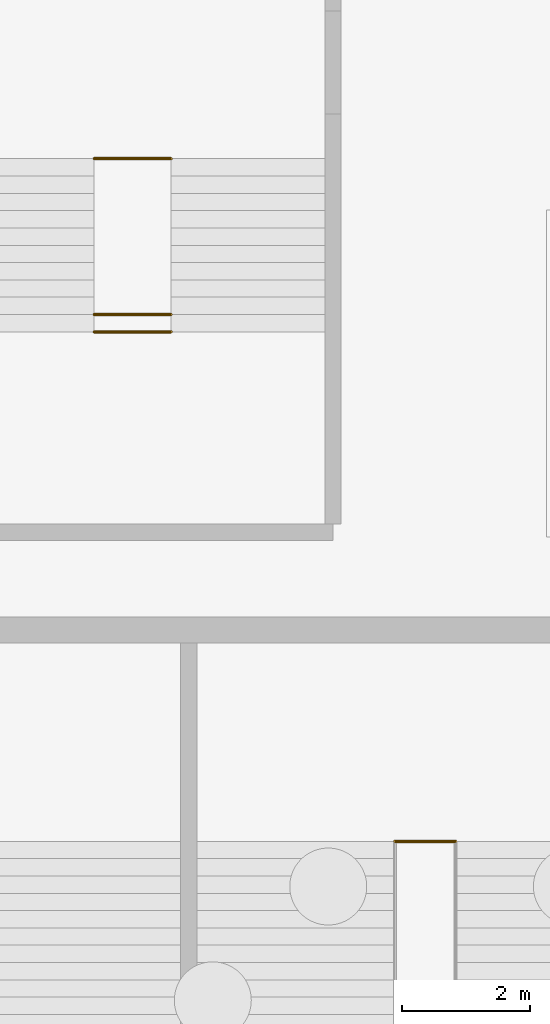
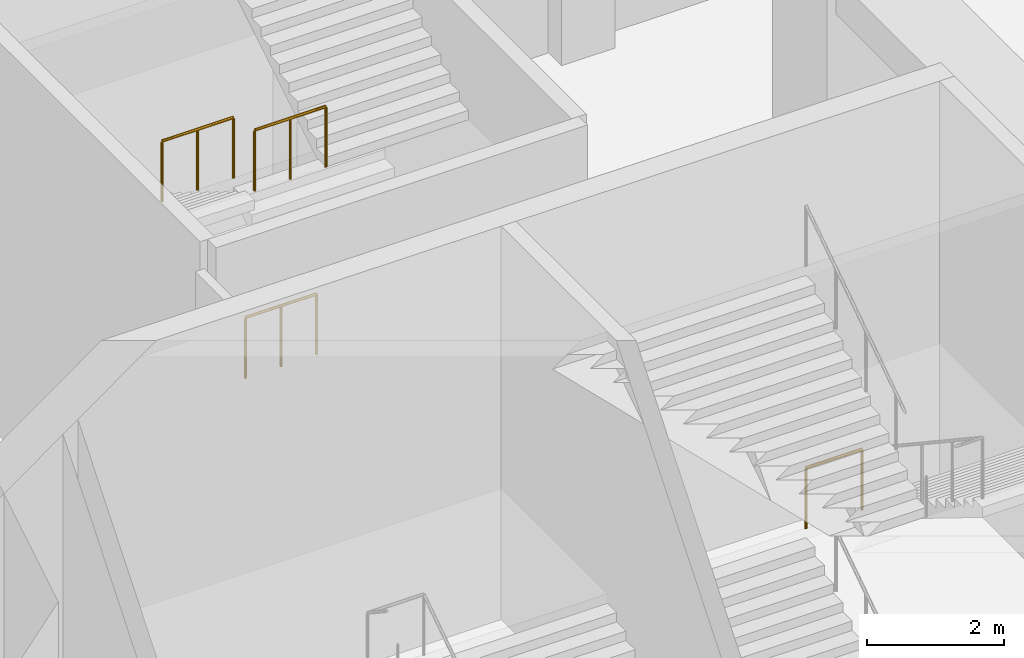
# One storey, part 28 of 30: 4 railings.
"""IFC4 building model written with IfcOpenShell, lengths in metres."""

from ifc_helpers import new_model, si_unit, direction, frame, origin, origin_2d, place, context, subcontext, project, spatial, circle, extrude, material, type_object, element, save


model = new_model("IFC4")

# Units and contexts
model_context = context("Model", 3, precision=1e-05, world=origin(), true_north=direction((0.0, 1.0)))
body_context = subcontext(model_context, "Body", "Model", "MODEL_VIEW")
ifc_project = project(units=[si_unit("LENGTHUNIT", "METRE"), si_unit("AREAUNIT", "SQUARE_METRE"), si_unit("VOLUMEUNIT", "CUBIC_METRE"), si_unit("PLANEANGLEUNIT", "RADIAN"), si_unit("MASSUNIT", "GRAM", prefix="KILO")], contexts=[model_context])

# Site, building, storey
site_placement = place(None, origin())
site = spatial("IfcSite", under=ifc_project, at=site_placement, CompositionType="ELEMENT")
building_placement = place(site_placement, origin())
building = spatial("IfcBuilding", under=site, at=building_placement, Name="Isbrekke Arena Tower", CompositionType="ELEMENT")
storey_placement = place(building_placement, frame((0.0, 0.0, -7.0)))
storey = spatial("IfcBuildingStorey", under=building, at=storey_placement, Name="B1", CompositionType="ELEMENT", Elevation=-7.0)

# Railings
ifc_material = material(Name="Steel stair guard, vertical bars, steel handrail", Category="steel")
railing_type = type_object("IfcRailingType", Name="GR3 STAIR WELL GUARD 1100", PredefinedType="GUARDRAIL", material=ifc_material)
railing_placement = place(storey_placement, frame((43.090087890625, -9.294921875, 2.333251953125)))
element("IfcRailing", 1, at=railing_placement, inside=storey, type_object=railing_type, Name="GR3 stair guard X2 landing 1", PredefinedType="GUARDRAIL", context=body_context, shape_type="SweptSolid", body=[
    extrude(circle(Radius=0.02392578125, at=origin_2d()), frame((0.0, 0.0, 1.076171875), z_axis=(1.0, 0.0, 0.0), x_axis=(0.0, 1.0, 0.0)), (0.0, 0.0, 1.0), 0.94482421875),
    extrude(circle(Radius=0.02099609375, at=origin_2d()), origin(), (0.0, 0.0, 1.0), 1.052001953125),
    extrude(circle(Radius=0.02099609375, at=origin_2d()), frame((0.94482421875, 0.0, 0.0)), (0.0, 0.0, 1.0), 1.052001953125),
])
for number, where, name in (
    (2, (38.39990234375, -1.080078125, 1.666748046875), "GR3 stair well guard V1 B1"),
    (3, (38.39990234375, 1.35009765625, 3.333251953125), "GR3 stair well guard V1 B1"),
    (4, (38.39990234375, -1.35009765625, 5.166748046875), "GR3 stair well guard V1 B1"),
):
    element("IfcRailing", number, at=place(storey_placement, frame(where)), inside=storey, type_object=railing_type, Name=name, PredefinedType="GUARDRAIL", context=body_context, shape_type="SweptSolid", body=[
        extrude(circle(Radius=0.02392578125, at=origin_2d()), frame((0.0, 0.0, 1.076171875), z_axis=(1.0, 0.0, 0.0), x_axis=(0.0, 1.0, 0.0)), (0.0, 0.0, 1.0), 1.2001953125),
        extrude(circle(Radius=0.02099609375, at=origin_2d()), origin(), (0.0, 0.0, 1.0), 1.052001953125),
        extrude(circle(Radius=0.02099609375, at=origin_2d()), frame((0.60009765625, 0.0, 0.0)), (0.0, 0.0, 1.0), 1.052001953125),
        extrude(circle(Radius=0.02099609375, at=origin_2d()), frame((1.2001953125, 0.0, 0.0)), (0.0, 0.0, 1.0), 1.052001953125),
    ])

save(model, "model.ifc")
